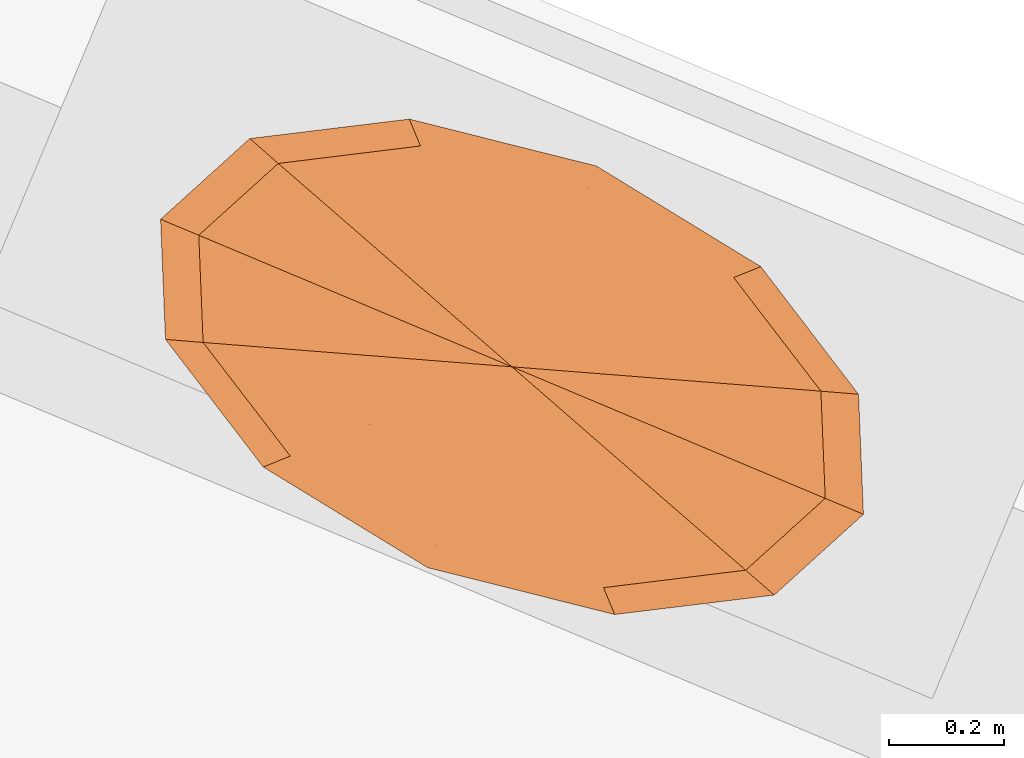
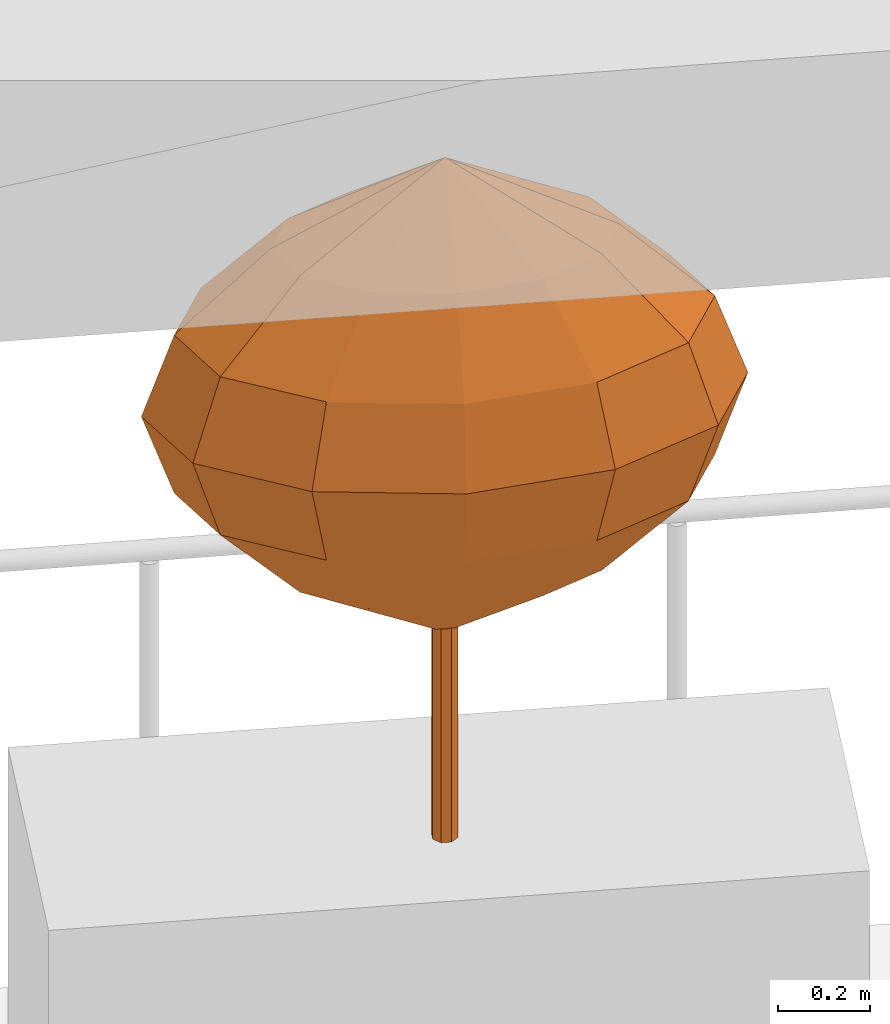
# One storey, part 12 of 12: 1 geographic element.
"""IFC4 building model written with IfcOpenShell, lengths in metres."""

from ifc_helpers import new_model, si_unit, direction, frame, origin, place, context, subcontext, project, spatial, faceted_brep, material, constituent, constituent_set, type_object, element, save


model = new_model("IFC4")

# Units and contexts
model_context = context("Model", 3, precision=1e-05, world=origin(), true_north=direction((0.0, 1.0)))
body_context = subcontext(model_context, "Body", "Model", "MODEL_VIEW")
ifc_project = project(units=[si_unit("LENGTHUNIT", "METRE"), si_unit("AREAUNIT", "SQUARE_METRE"), si_unit("VOLUMEUNIT", "CUBIC_METRE"), si_unit("PLANEANGLEUNIT", "RADIAN"), si_unit("MASSUNIT", "GRAM", prefix="KILO")], contexts=[model_context])

# Site, building, storey
site_placement = place(None, origin())
site = spatial("IfcSite", under=ifc_project, at=site_placement, CompositionType="ELEMENT")
building_placement = place(site_placement, origin())
building = spatial("IfcBuilding", under=site, at=building_placement, Name="Taillehof Tower", CompositionType="ELEMENT")
storey_placement = place(building_placement, frame((0.0, 0.0, 233.300048828125)))
storey = spatial("IfcBuildingStorey", under=building, at=storey_placement, Name="L66", CompositionType="ELEMENT", Elevation=233.300048828125)

# Geographic element
ifc_material_1 = material(Name="Tree bark", Category="timber")
ifc_constituent_1 = constituent(ifc_material_1, Name="Trunk", Category="timber")
ifc_material_2 = material(Name="Tree foliage")
ifc_constituent_2 = constituent(ifc_material_2, Name="Crown")
ifc_constituent_set = constituent_set(constituents=[ifc_constituent_1, ifc_constituent_2], Name="Tree TR4 Sea buckthorn standard")
geographic_element_type = type_object("IfcGeographicElementType", Name="Tree TR4 Sea buckthorn standard", PredefinedType="USERDEFINED", material=ifc_constituent_set)
geographic_element_placement = place(storey_placement, frame((10.07958984375, 19.973388671875, 0.75)))
element("IfcGeographicElement", 1, at=geographic_element_placement, inside=storey, type_object=geographic_element_type, Name="Tree TR4 Sea buckthorn standard", ObjectType="TREE", PredefinedType="USERDEFINED", context=body_context, shape_type="Brep", body=[
    faceted_brep([(0.030029296875, 0.0, 0.0), (0.021240234375, 0.021240234375, 0.0), (0.021240234375, 0.021240234375, 0.98095703125), (0.030029296875, 0.0, 0.98095703125), (0.0, 0.030029296875, 0.0), (0.0, 0.030029296875, 0.98095703125), (-0.021240234375, 0.021240234375, 0.0), (-0.021240234375, 0.021240234375, 0.98095703125), (-0.030029296875, 0.0, 0.0), (-0.030029296875, 0.0, 0.98095703125), (-0.021240234375, -0.021240234375, 0.0), (-0.021240234375, -0.021240234375, 0.98095703125), (0.0, -0.030029296875, 0.0), (0.0, -0.030029296875, 0.98095703125), (0.021240234375, -0.021240234375, 0.0), (0.021240234375, -0.021240234375, 0.98095703125)], [[[0, 1, 2, 3]], [[1, 4, 5, 2]], [[4, 6, 7, 5]], [[6, 8, 9, 7]], [[8, 10, 11, 9]], [[10, 12, 13, 11]], [[12, 14, 15, 13]], [[14, 0, 3, 15]], [[14, 12, 10, 8, 6, 4, 1, 0]], [[3, 2, 5, 7, 9, 11, 13, 15]]]),
    faceted_brep([(0.0, 0.0, 0.5400390625), (-0.34716796875, 0.02734375, 0.75), (-0.35205078125, 0.14794921875, 0.75), (-0.249267578125, -0.100341796875, 0.75), (-0.08447265625, -0.201171875, 0.75), (0.10302734375, -0.248291015625, 0.75), (0.2626953125, -0.228759765625, 0.75), (0.35205078125, -0.14794921875, 0.75), (0.34716796875, -0.02734375, 0.75), (0.249267578125, 0.100341796875, 0.75), (0.08447265625, 0.201171875, 0.75), (-0.10302734375, 0.248291015625, 0.75), (-0.2626953125, 0.228759765625, 0.75), (-0.538818359375, 0.04248046875, 0.9599609375), (-0.54638671875, 0.2294921875, 0.9599609375), (-0.38671875, -0.15576171875, 0.9599609375), (-0.131103515625, -0.312255859375, 0.9599609375), (0.15966796875, -0.38525390625, 0.9599609375), (0.40771484375, -0.354736328125, 0.9599609375), (0.54638671875, -0.2294921875, 0.9599609375), (0.538818359375, -0.04248046875, 0.9599609375), (0.38671875, 0.15576171875, 0.9599609375), (0.131103515625, 0.312255859375, 0.9599609375), (-0.15966796875, 0.38525390625, 0.9599609375), (-0.40771484375, 0.354736328125, 0.9599609375), (-0.6044921875, 0.0478515625, 1.169921875), (-0.613037109375, 0.25732421875, 1.169921875), (-0.43408203125, -0.1748046875, 1.169921875), (-0.147216796875, -0.350341796875, 1.169921875), (0.17919921875, -0.43212890625, 1.169921875), (0.45751953125, -0.398193359375, 1.169921875), (0.613037109375, -0.25732421875, 1.169921875), (0.6044921875, -0.0478515625, 1.169921875), (0.43408203125, 0.1748046875, 1.169921875), (0.147216796875, 0.350341796875, 1.169921875), (-0.17919921875, 0.43212890625, 1.169921875), (-0.45751953125, 0.398193359375, 1.169921875), (-0.538818359375, 0.04248046875, 1.3798828125), (-0.54638671875, 0.2294921875, 1.3798828125), (-0.38671875, -0.15576171875, 1.3798828125), (-0.131103515625, -0.312255859375, 1.3798828125), (0.15966796875, -0.38525390625, 1.3798828125), (0.40771484375, -0.354736328125, 1.3798828125), (0.54638671875, -0.2294921875, 1.3798828125), (0.538818359375, -0.04248046875, 1.3798828125), (0.38671875, 0.15576171875, 1.3798828125), (0.131103515625, 0.312255859375, 1.3798828125), (-0.15966796875, 0.38525390625, 1.3798828125), (-0.40771484375, 0.354736328125, 1.3798828125), (-0.34716796875, 0.02734375, 1.590087890625), (-0.35205078125, 0.14794921875, 1.590087890625), (-0.249267578125, -0.100341796875, 1.590087890625), (-0.08447265625, -0.201171875, 1.590087890625), (0.10302734375, -0.248291015625, 1.590087890625), (0.2626953125, -0.228759765625, 1.590087890625), (0.35205078125, -0.14794921875, 1.590087890625), (0.34716796875, -0.02734375, 1.590087890625), (0.249267578125, 0.100341796875, 1.590087890625), (0.08447265625, 0.201171875, 1.590087890625), (-0.10302734375, 0.248291015625, 1.590087890625), (-0.2626953125, 0.228759765625, 1.590087890625), (0.0, 0.0, 1.800048828125)], [[[0, 1, 2]], [[0, 3, 1]], [[0, 4, 3]], [[0, 5, 4]], [[0, 6, 5]], [[0, 7, 6]], [[0, 8, 7]], [[0, 9, 8]], [[0, 10, 9]], [[0, 11, 10]], [[0, 12, 11]], [[0, 2, 12]], [[2, 1, 13, 14]], [[1, 3, 15, 13]], [[3, 4, 16, 15]], [[4, 5, 17, 16]], [[5, 6, 18, 17]], [[6, 7, 19, 18]], [[7, 8, 20, 19]], [[8, 9, 21, 20]], [[9, 10, 22, 21]], [[10, 11, 23, 22]], [[11, 12, 24, 23]], [[12, 2, 14, 24]], [[14, 13, 25, 26]], [[13, 15, 27, 25]], [[15, 16, 28, 27]], [[16, 17, 29, 28]], [[17, 18, 30, 29]], [[18, 19, 31, 30]], [[19, 20, 32, 31]], [[20, 21, 33, 32]], [[21, 22, 34, 33]], [[22, 23, 35, 34]], [[23, 24, 36, 35]], [[24, 14, 26, 36]], [[26, 25, 37, 38]], [[25, 27, 39, 37]], [[27, 28, 40, 39]], [[28, 29, 41, 40]], [[29, 30, 42, 41]], [[30, 31, 43, 42]], [[31, 32, 44, 43]], [[32, 33, 45, 44]], [[33, 34, 46, 45]], [[34, 35, 47, 46]], [[35, 36, 48, 47]], [[36, 26, 38, 48]], [[38, 37, 49, 50]], [[37, 39, 51, 49]], [[39, 40, 52, 51]], [[40, 41, 53, 52]], [[41, 42, 54, 53]], [[42, 43, 55, 54]], [[43, 44, 56, 55]], [[44, 45, 57, 56]], [[45, 46, 58, 57]], [[46, 47, 59, 58]], [[47, 48, 60, 59]], [[48, 38, 50, 60]], [[50, 49, 61]], [[49, 51, 61]], [[51, 52, 61]], [[52, 53, 61]], [[53, 54, 61]], [[54, 55, 61]], [[55, 56, 61]], [[56, 57, 61]], [[57, 58, 61]], [[58, 59, 61]], [[59, 60, 61]], [[60, 50, 61]]]),
])

save(model, "model.ifc")
